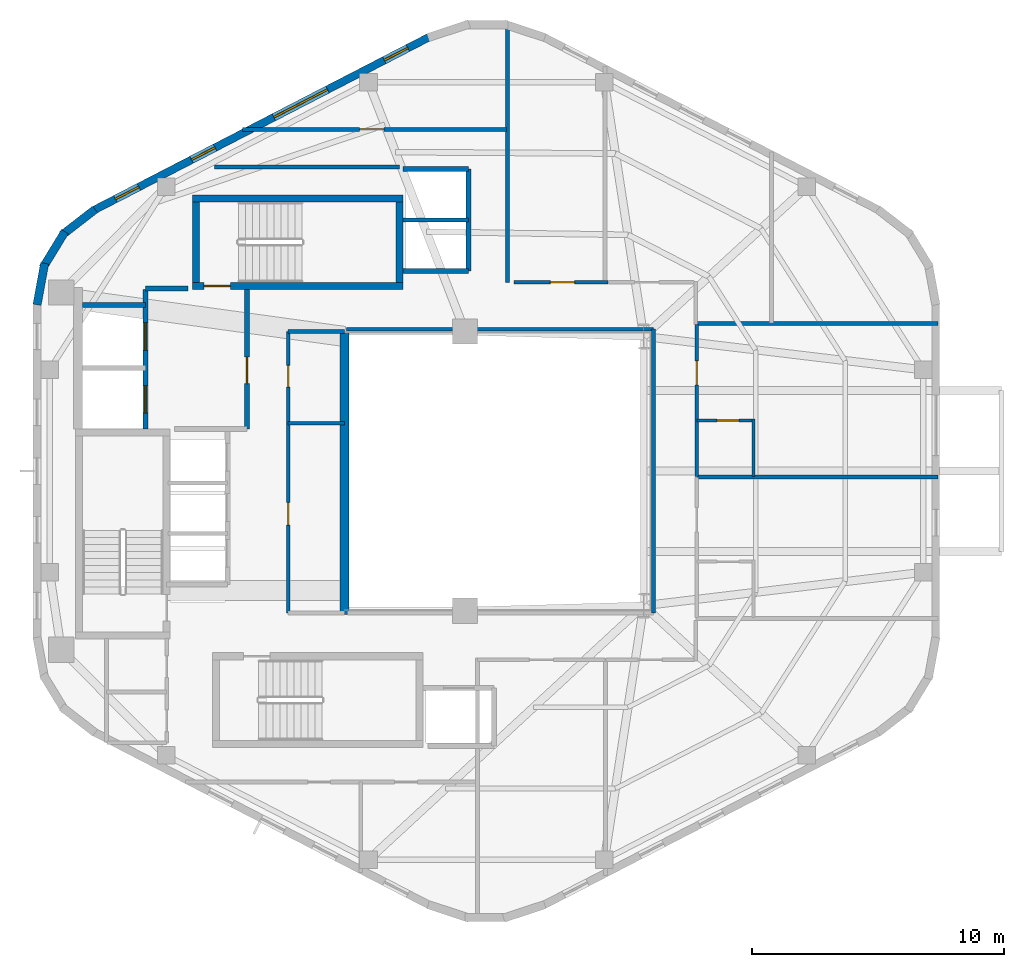
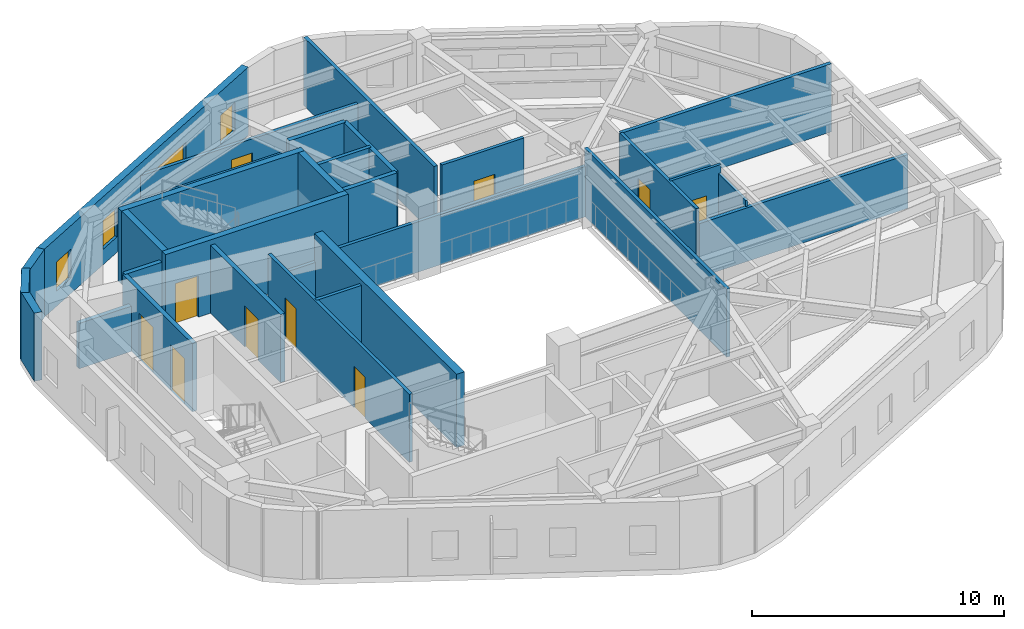
# One storey, part 4 of 6: 31 walls, 10 doors, 4 windows, 14 openings.
"""IFC4 building model written with IfcOpenShell, lengths in metres."""

from ifc_helpers import new_model, si_unit, direction, frame, frame_2d, origin, place, context, subcontext, project, spatial, rectangle, extrude, material, layer, layer_set, type_object, element, fill, save


model = new_model("IFC4")

# Units and contexts
model_context = context("Model", 3, precision=1e-05, world=origin(), true_north=direction((0.0, 1.0)))
body_context = subcontext(model_context, "Body", "Model", "MODEL_VIEW")
ifc_project = project(units=[si_unit("LENGTHUNIT", "METRE"), si_unit("AREAUNIT", "SQUARE_METRE"), si_unit("VOLUMEUNIT", "CUBIC_METRE"), si_unit("PLANEANGLEUNIT", "RADIAN"), si_unit("MASSUNIT", "GRAM", prefix="KILO"), si_unit("THERMODYNAMICTEMPERATUREUNIT", "KELVIN"), si_unit("POWERUNIT", "WATT")], contexts=[model_context])

# Site, building, storey
site_placement = place(None, origin())
site = spatial("IfcSite", under=ifc_project, at=site_placement, CompositionType="ELEMENT")
building_placement = place(site_placement, origin())
building = spatial("IfcBuilding", under=site, at=building_placement, Name="Skarre Station Tower", CompositionType="ELEMENT")
storey_placement = place(building_placement, frame((0.0, 0.0, 252.550048828125)))
storey = spatial("IfcBuildingStorey", under=building, at=storey_placement, Name="L69", CompositionType="ELEMENT", Elevation=252.550048828125)

# Wall
ifc_material_1 = material(Name="Acoustic Steel-Stud Gypsum Partition", Category="steel")
ifc_layer_1 = layer(ifc_material_1, 0.14990234375, Name="Acoustic Steel-Stud Gypsum Partition")
ifc_layer_set_1 = layer_set([ifc_layer_1], Name="Acoustic Steel-Stud Gypsum Partition")
wall_type_1 = type_object("IfcWallType", Name="Fire-Rated Corridor Acoustic Partition 150", PredefinedType="PARTITIONING", material=ifc_layer_set_1)
wall_1_placement = place(storey_placement, frame((25.320068359375, 25.89990234375, 0.0), z_axis=(0.0, 0.0, 1.0), x_axis=(1.0, 0.0, 0.0)))
element("IfcWall", 1, at=wall_1_placement, inside=storey, type_object=wall_type_1, Name="L69 Interior Partition WL-PT-L69-RC2-M", PredefinedType="PARTITIONING", context=body_context, shape_type="SweptSolid", body=[
    extrude(rectangle(XDim=2.22998046875, YDim=0.14990234375, at=frame_2d((1.114990234375, 0.0))), origin(), (0.0, 0.0, 1.0), 3.2900390625),
])

# Wall, openings, doors
wall_2_placement = place(storey_placement, frame((25.320068359375, 29.550048828125, 0.0), z_axis=(0.0, 0.0, 1.0), x_axis=(0.0, -1.0, 0.0)))
wall_2 = element("IfcWall", 2, at=wall_2_placement, inside=storey, type_object=wall_type_1, Name="L69 Interior Partition WL-PT-L69-RC2-W", PredefinedType="PARTITIONING", context=body_context, shape_type="SweptSolid", body=[
    extrude(rectangle(XDim=11.18994140625, YDim=0.14990234375, at=frame_2d((5.594970703125, 0.0))), origin(), (0.0, 0.0, 1.0), 3.2900390625),
])
opening_1_placement = place(wall_2_placement, frame((1.35009765625, 0.0, 0.0)))
opening_1 = element("IfcOpeningElement", 3, at=opening_1_placement, cuts=wall_2, Name="Opening DR-SVC86", PredefinedType="OPENING", context=body_context, shape_type="SweptSolid", body=[
    extrude(rectangle(XDim=0.860107421875, YDim=2.0, at=frame_2d((0.43017578125, 1.0))), frame((0.0, 0.0849609375, 0.0), z_axis=(0.0, -1.0, 0.0), x_axis=(1.0, 0.0, 0.0)), (0.0, 0.0, 1.0), 0.169921875),
])
opening_2_placement = place(wall_2_placement, frame((6.800048828125, 0.0, 0.0)))
opening_2 = element("IfcOpeningElement", 4, at=opening_2_placement, cuts=wall_2, Name="Opening DR-SVC90", PredefinedType="OPENING", context=body_context, shape_type="SweptSolid", body=[
    extrude(rectangle(XDim=0.89990234375, YDim=2.0, at=frame_2d((0.449951171875, 1.0))), frame((0.0, 0.0849609375, 0.0), z_axis=(0.0, -1.0, 0.0), x_axis=(1.0, 0.0, 0.0)), (0.0, 0.0, 1.0), 0.169921875),
])
ifc_material_2 = material(Name="Powder-Coated Hollow-Metal Acoustic Fire Leaf", Category="steel")
door_type_1 = type_object("IfcDoorType", Name="Compact Riser Fire Door FD60 860x2100", OperationType="SINGLE_SWING_LEFT", PredefinedType="DOOR", material=ifc_material_2)
door_1_placement = place(opening_1_placement, origin())
door_1 = element("IfcDoor", 5, at=door_1_placement, inside=storey, type_object=door_type_1, Name="L69 Music Alcove Door", OperationType="SINGLE_SWING_LEFT", OverallHeight=2.0, OverallWidth=0.860107421875, PredefinedType="DOOR", context=body_context, shape_type="SweptSolid", body=[
    extrude(rectangle(XDim=0.860107421875, YDim=2.0, at=frame_2d((0.43017578125, 1.0))), frame((0.0, 0.02490234375, 0.0), z_axis=(0.0, -1.0, 0.0), x_axis=(1.0, 0.0, 0.0)), (0.0, 0.0, 1.0), 0.050048828125),
])
fill(opening_1, door_1)
door_type_2 = type_object("IfcDoorType", Name="Service & Riser Fire Door FD60 900x2100", OperationType="SINGLE_SWING_LEFT", PredefinedType="DOOR", material=ifc_material_2)
door_2_placement = place(opening_2_placement, origin())
door_2 = element("IfcDoor", 6, at=door_2_placement, inside=storey, type_object=door_type_2, Name="L69 Tasting Pantry Door", OperationType="SINGLE_SWING_LEFT", OverallHeight=2.0, OverallWidth=0.89990234375, PredefinedType="DOOR", context=body_context, shape_type="SweptSolid", body=[
    extrude(rectangle(XDim=0.89990234375, YDim=2.0, at=frame_2d((0.449951171875, 1.0))), frame((0.0, 0.02490234375, 0.0), z_axis=(0.0, -1.0, 0.0), x_axis=(1.0, 0.0, 0.0)), (0.0, 0.0, 1.0), 0.050048828125),
])
fill(opening_2, door_2)

# Walls
wall_3_placement = place(storey_placement, frame((27.550048828125, 29.550048828125, 0.0), z_axis=(0.0, 0.0, 1.0), x_axis=(-1.0, 0.0, 0.0)))
element("IfcWall", 7, at=wall_3_placement, inside=storey, type_object=wall_type_1, Name="L69 Interior Partition WL-PT-L69-RC2-N", PredefinedType="PARTITIONING", context=body_context, shape_type="SweptSolid", body=[
    extrude(rectangle(XDim=2.22998046875, YDim=0.14990234375, at=frame_2d((1.114990234375, 0.0))), origin(), (0.0, 0.0, 1.0), 2.18994140625),
])
wall_4_placement = place(storey_placement, frame((39.840087890625, 29.639892578125, 0.0), z_axis=(0.0, 0.0, 1.0), x_axis=(-1.0, 0.0, 0.0)))
element("IfcWall", 8, at=wall_4_placement, inside=storey, type_object=wall_type_1, Name="L69 Interior Partition WL-PT-L69-ATRW-N", PredefinedType="PARTITIONING", context=body_context, shape_type="SweptSolid", body=[
    extrude(rectangle(XDim=12.203125, YDim=0.14990234375, at=frame_2d((6.1015625, 0.0))), origin(), (0.0, 0.0, 1.0), 2.430908203125),
])
wall_5_placement = place(storey_placement, frame((39.840087890625, 18.360107421875, 0.0), z_axis=(0.0, 0.0, 1.0), x_axis=(0.0, 1.0, 0.0)))
element("IfcWall", 9, at=wall_5_placement, inside=storey, type_object=wall_type_1, Name="L69 Interior Partition WL-PT-L69-ATRW-E", PredefinedType="PARTITIONING", context=body_context, shape_type="SweptSolid", body=[
    extrude(rectangle(XDim=11.27978515625, YDim=0.14990234375, at=frame_2d((5.639892578125, 0.0))), origin(), (0.0, 0.0, 1.0), 3.2900390625),
])

# Wall, opening, door
wall_6_placement = place(storey_placement, frame((34.0, 37.580078125, 0.0), z_axis=(0.0, 0.0, 1.0), x_axis=(-1.0, 0.0, 0.0)))
wall_6 = element("IfcWall", 10, at=wall_6_placement, inside=storey, type_object=wall_type_1, Name="L69 Interior Partition WL-PT-L69-NWW1-CW", PredefinedType="PARTITIONING", context=body_context, shape_type="SweptSolid", body=[
    extrude(rectangle(XDim=10.5009765625, YDim=0.14990234375, at=frame_2d((5.25048828125, 0.0))), origin(), (0.0, 0.0, 1.0), 2.681884765625),
])
opening_3_placement = place(wall_6_placement, frame((4.87890625, 0.0, 0.0)))
opening_3 = element("IfcOpeningElement", 11, at=opening_3_placement, cuts=wall_6, Name="Opening DR-FD60", PredefinedType="OPENING", context=body_context, shape_type="SweptSolid", body=[
    extrude(rectangle(XDim=0.9599609375, YDim=2.0, at=frame_2d((0.47998046875, 1.0))), frame((0.0, 0.0849609375, 0.0), z_axis=(0.0, -1.0, 0.0), x_axis=(1.0, 0.0, 0.0)), (0.0, 0.0, 1.0), 0.169921875),
])
ifc_material_3 = material(Name="Nordic White-Oak Veneer Solid-Core Fire Leaf", Category="wood")
door_type_3 = type_object("IfcDoorType", Name="Corridor Suite Entry Fire Door FD60 960x2150", OperationType="SINGLE_SWING_LEFT", PredefinedType="DOOR", material=ifc_material_3)
door_3_placement = place(opening_3_placement, origin())
door_3 = element("IfcDoor", 12, at=door_3_placement, inside=storey, type_object=door_type_3, Name="L69 NWW1 Entry Door", OperationType="SINGLE_SWING_LEFT", OverallHeight=2.0, OverallWidth=0.9599609375, PredefinedType="DOOR", context=body_context, shape_type="SweptSolid", body=[
    extrude(rectangle(XDim=0.9599609375, YDim=2.0, at=frame_2d((0.47998046875, 1.0))), frame((0.0, 0.02490234375, 0.0), z_axis=(0.0, -1.0, 0.0), x_axis=(1.0, 0.0, 0.0)), (0.0, 0.0, 1.0), 0.050048828125),
])
fill(opening_3, door_3)

wall_7_placement = place(storey_placement, frame((38.037109375, 31.5, 0.0), z_axis=(0.0, 0.0, 1.0), x_axis=(-1.0, 0.0, 0.0)))
wall_7 = element("IfcWall", 13, at=wall_7_placement, inside=storey, type_object=wall_type_1, Name="L69 Interior Partition WL-PT-L69-NW1-CW", PredefinedType="PARTITIONING", context=body_context, shape_type="SweptSolid", body=[
    extrude(rectangle(XDim=3.7470703125, YDim=0.14990234375, at=frame_2d((1.87353515625, 0.0))), origin(), (0.0, 0.0, 1.0), 3.2900390625),
])
opening_4_placement = place(wall_7_placement, frame((1.3369140625, 0.0, 0.0)))
opening_4 = element("IfcOpeningElement", 14, at=opening_4_placement, cuts=wall_7, Name="Opening DR-FD60", PredefinedType="OPENING", context=body_context, shape_type="SweptSolid", body=[
    extrude(rectangle(XDim=0.9599609375, YDim=2.0, at=frame_2d((0.47998046875, 1.0))), frame((0.0, 0.0849609375, 0.0), z_axis=(0.0, -1.0, 0.0), x_axis=(1.0, 0.0, 0.0)), (0.0, 0.0, 1.0), 0.169921875),
])
door_4_placement = place(opening_4_placement, origin())
door_4 = element("IfcDoor", 15, at=door_4_placement, inside=storey, type_object=door_type_3, Name="L69 NW1 Entry Door", OperationType="SINGLE_SWING_LEFT", OverallHeight=2.0, OverallWidth=0.9599609375, PredefinedType="DOOR", context=body_context, shape_type="SweptSolid", body=[
    extrude(rectangle(XDim=0.9599609375, YDim=2.0, at=frame_2d((0.47998046875, 1.0))), frame((0.0, 0.02490234375, 0.0), z_axis=(0.0, -1.0, 0.0), x_axis=(1.0, 0.0, 0.0)), (0.0, 0.0, 1.0), 0.050048828125),
])
fill(opening_4, door_4)

wall_8_placement = place(storey_placement, frame((41.56005859375, 23.784912109375, 0.0), z_axis=(0.0, 0.0, 1.0), x_axis=(0.0, 1.0, 0.0)))
wall_8 = element("IfcWall", 16, at=wall_8_placement, inside=storey, type_object=wall_type_1, Name="L69 Interior Partition WL-PT-L69-EW2-CW", PredefinedType="PARTITIONING", context=body_context, shape_type="SweptSolid", body=[
    extrude(rectangle(XDim=6.03515625, YDim=0.14990234375, at=frame_2d((3.017578125, 0.0))), origin(), (0.0, 0.0, 1.0), 3.2900390625),
])
opening_5_placement = place(wall_8_placement, frame((3.637939453125, 0.0, 0.0)))
opening_5 = element("IfcOpeningElement", 17, at=opening_5_placement, cuts=wall_8, Name="Opening DR-FD60", PredefinedType="OPENING", context=body_context, shape_type="SweptSolid", body=[
    extrude(rectangle(XDim=0.9599609375, YDim=2.0, at=frame_2d((0.47998046875, 1.0))), frame((0.0, 0.0849609375, 0.0), z_axis=(0.0, -1.0, 0.0), x_axis=(1.0, 0.0, 0.0)), (0.0, 0.0, 1.0), 0.169921875),
])
door_5_placement = place(opening_5_placement, origin())
door_5 = element("IfcDoor", 18, at=door_5_placement, inside=storey, type_object=door_type_3, Name="L69 EW2 Entry Door", OperationType="SINGLE_SWING_LEFT", OverallHeight=2.0, OverallWidth=0.9599609375, PredefinedType="DOOR", context=body_context, shape_type="SweptSolid", body=[
    extrude(rectangle(XDim=0.9599609375, YDim=2.0, at=frame_2d((0.47998046875, 1.0))), frame((0.0, 0.02490234375, 0.0), z_axis=(0.0, -1.0, 0.0), x_axis=(1.0, 0.0, 0.0)), (0.0, 0.0, 1.0), 0.050048828125),
])
fill(opening_5, door_5)

# Walls
wall_9_placement = place(storey_placement, frame((29.7529296875, 36.080078125, 0.0), z_axis=(0.0, 0.0, 1.0), x_axis=(-1.0, 0.0, 0.0)))
element("IfcWall", 19, at=wall_9_placement, inside=storey, type_object=wall_type_1, Name="L69 Interior Partition WL-PT-L69-CSEAL-1", PredefinedType="PARTITIONING", context=body_context, shape_type="SweptSolid", body=[
    extrude(rectangle(XDim=7.35302734375, YDim=0.14990234375, at=frame_2d((3.676513671875, 0.0))), origin(), (0.0, 0.0, 1.0), 2.681884765625),
])
ifc_material_4 = material(Name="Insulated Timber-Stud Gypsum Partition", Category="wood")
ifc_layer_2 = layer(ifc_material_4, 0.1201171875, Name="Insulated Timber-Stud Gypsum Partition")
ifc_layer_set_2 = layer_set([ifc_layer_2], Name="Insulated Timber-Stud Gypsum Partition")
wall_type_2 = type_object("IfcWallType", Name="Internal Suite Acoustic Partition 120", PredefinedType="PARTITIONING", material=ifc_layer_set_2)
wall_10_placement = place(storey_placement, frame((43.820068359375, 23.784912109375, 0.0), z_axis=(0.0, 0.0, 1.0), x_axis=(0.0, 1.0, 0.0)))
element("IfcWall", 20, at=wall_10_placement, inside=storey, type_object=wall_type_2, Name="L69 Interior Partition WL-PT-L69-EW2-EW2", PredefinedType="PARTITIONING", context=body_context, shape_type="SweptSolid", body=[
    extrude(rectangle(XDim=2.280029296875, YDim=0.1201171875, at=frame_2d((1.14013671875, 0.0))), origin(), (0.0, 0.0, 1.0), 2.886962890625),
])

# Wall, opening, door
wall_11_placement = place(storey_placement, frame((43.8798828125, 26.0048828125, 0.0), z_axis=(0.0, 0.0, 1.0), x_axis=(-1.0, 0.0, 0.0)))
wall_11 = element("IfcWall", 21, at=wall_11_placement, inside=storey, type_object=wall_type_2, Name="L69 Interior Partition WL-PT-L69-EW2-EW3", PredefinedType="PARTITIONING", context=body_context, shape_type="SweptSolid", body=[
    extrude(rectangle(XDim=2.31982421875, YDim=0.1201171875, at=frame_2d((1.159912109375, 0.0))), origin(), (0.0, 0.0, 1.0), 3.2900390625),
])
opening_6_placement = place(wall_11_placement, frame((0.64990234375, 0.0, 0.0)))
opening_6 = element("IfcOpeningElement", 22, at=opening_6_placement, cuts=wall_11, Name="Opening DR-INT86", PredefinedType="OPENING", context=body_context, shape_type="SweptSolid", body=[
    extrude(rectangle(XDim=0.860107421875, YDim=2.0, at=frame_2d((0.43017578125, 1.0))), frame((0.0, 0.070068359375, 0.0), z_axis=(0.0, -1.0, 0.0), x_axis=(1.0, 0.0, 0.0)), (0.0, 0.0, 1.0), 0.14013671875),
])
ifc_material_5 = material(Name="Nordic Birch Acoustic Solid-Core Timber Leaf", Category="wood")
door_type_4 = type_object("IfcDoorType", Name="Internal En-Suite & Bedroom Door 860x2100", OperationType="SINGLE_SWING_LEFT", PredefinedType="DOOR", material=ifc_material_5)
door_6_placement = place(opening_6_placement, origin())
door_6 = element("IfcDoor", 23, at=door_6_placement, inside=storey, type_object=door_type_4, Name="L69 EW2 En-suite Door", OperationType="SINGLE_SWING_RIGHT", OverallHeight=2.0, OverallWidth=0.860107421875, PredefinedType="DOOR", context=body_context, shape_type="SweptSolid", body=[
    extrude(rectangle(XDim=0.860107421875, YDim=2.0, at=frame_2d((0.43017578125, 1.0))), frame((0.0, 0.02490234375, 0.0), z_axis=(0.0, -1.0, 0.0), x_axis=(1.0, 0.0, 0.0)), (0.0, 0.0, 1.0), 0.050048828125),
])
fill(opening_6, door_6)

# Walls
ifc_material_6 = material(Name="Precast concrete C45/55", Category="concrete")
ifc_layer_3 = layer(ifc_material_6, 0.330078125, Name="Precast concrete C45/55")
ifc_layer_set_3 = layer_set([ifc_layer_3], Name="Precast concrete C45/55")
wall_type_3 = type_object("IfcWallType", Name="Nordic Rounded Corner Precast Wall 330", PredefinedType="STANDARD", material=ifc_layer_set_3)
wall_12_placement = place(storey_placement, frame((15.337890625, 30.60791015625, 0.0), z_axis=(0.0, 0.0, 1.0), x_axis=(0.180832605401, 0.983513888475, 0.0)))
element("IfcWall", 24, at=wall_12_placement, inside=storey, type_object=wall_type_3, Name="L69 Rounded Corner Precast Wall F2-1", PredefinedType="STANDARD", context=body_context, shape_type="SweptSolid", body=[
    extrude(rectangle(XDim=1.6767578125, YDim=0.330078125, at=frame_2d((0.83837890625, 0.0))), origin(), (0.0, 0.0, 1.0), 3.2900390625),
])
wall_13_placement = place(storey_placement, frame((15.573974609375, 32.08203125, 0.0), z_axis=(0.0, 0.0, 1.0), x_axis=(0.520325409202, 0.853968072318, 0.0)))
element("IfcWall", 25, at=wall_13_placement, inside=storey, type_object=wall_type_3, Name="L69 Rounded Corner Precast Wall F2-2", PredefinedType="STANDARD", context=body_context, shape_type="SweptSolid", body=[
    extrude(rectangle(XDim=1.677978515625, YDim=0.330078125, at=frame_2d((0.8388671875, 0.0))), origin(), (0.0, 0.0, 1.0), 3.2900390625),
])
wall_14_placement = place(storey_placement, frame((16.322021484375, 33.375, 0.0), z_axis=(0.0, 0.0, 1.0), x_axis=(0.790691856293, 0.61221433207, 0.0)))
element("IfcWall", 26, at=wall_14_placement, inside=storey, type_object=wall_type_3, Name="L69 Rounded Corner Precast Wall F2-3", PredefinedType="STANDARD", context=body_context, shape_type="SweptSolid", body=[
    extrude(rectangle(XDim=1.67578125, YDim=0.330078125, at=frame_2d((0.837890625, 0.0))), origin(), (0.0, 0.0, 1.0), 3.2900390625),
])

# Wall, openings, windows
ifc_layer_4 = layer(ifc_material_6, 0.31005859375, Name="Precast concrete C45/55")
ifc_layer_set_4 = layer_set([ifc_layer_4], Name="Precast concrete C45/55")
wall_type_4 = type_object("IfcWallType", Name="Nordic Upper-Zone Precast Facet Wall 310", PredefinedType="STANDARD", material=ifc_layer_set_4)
wall_15_placement = place(storey_placement, frame((17.56591796875, 34.35400390625, 0.0), z_axis=(0.0, 0.0, 1.0), x_axis=(0.888581481622, 0.458718814218, 0.0)))
wall_15 = element("IfcWall", 27, at=wall_15_placement, inside=storey, type_object=wall_type_4, Name="L69 Facet 1 Nordic Precast Masonry Wall", PredefinedType="STANDARD", context=body_context, shape_type="SweptSolid", body=[
    extrude(rectangle(XDim=15.076904296875, YDim=0.31005859375, at=frame_2d((7.53857421875, 0.0))), origin(), (0.0, 0.0, 1.0), 3.2900390625),
])
opening_7_placement = place(wall_15_placement, frame((0.998046875, 0.0, 0.75)))
opening_7 = element("IfcOpeningElement", 28, at=opening_7_placement, cuts=wall_15, Name="Opening WN-SLT", PredefinedType="OPENING", context=body_context, shape_type="SweptSolid", body=[
    extrude(rectangle(XDim=1.050048828125, YDim=1.39990234375, at=frame_2d((0.52490234375, 0.699951171875))), frame((0.0, 0.1650390625, 0.0), z_axis=(0.0, -1.0, 0.0), x_axis=(1.0, 0.0, 0.0)), (0.0, 0.0, 1.0), 0.330078125),
])
opening_8_placement = place(wall_15_placement, frame((4.403076171875, 0.0, 0.75)))
opening_8 = element("IfcOpeningElement", 29, at=opening_8_placement, cuts=wall_15, Name="Opening WN-SLT", PredefinedType="OPENING", context=body_context, shape_type="SweptSolid", body=[
    extrude(rectangle(XDim=1.050048828125, YDim=1.39990234375, at=frame_2d((0.52490234375, 0.699951171875))), frame((0.0, 0.1650390625, 0.0), z_axis=(0.0, -1.0, 0.0), x_axis=(1.0, 0.0, 0.0)), (0.0, 0.0, 1.0), 0.330078125),
])
opening_9_placement = place(wall_15_placement, frame((8.0859375, 0.0, 0.75)))
opening_9 = element("IfcOpeningElement", 30, at=opening_9_placement, cuts=wall_15, Name="Opening WN-Z4A", PredefinedType="OPENING", context=body_context, shape_type="SweptSolid", body=[
    extrude(rectangle(XDim=2.39990234375, YDim=1.60009765625, at=frame_2d((1.199951171875, 0.800048828125))), frame((0.0, 0.1650390625, 0.0), z_axis=(0.0, -1.0, 0.0), x_axis=(1.0, 0.0, 0.0)), (0.0, 0.0, 1.0), 0.330078125),
])
opening_10_placement = place(wall_15_placement, frame((13.029052734375, 0.0, 0.75)))
opening_10 = element("IfcOpeningElement", 31, at=opening_10_placement, cuts=wall_15, Name="Opening WN-SLT", PredefinedType="OPENING", context=body_context, shape_type="SweptSolid", body=[
    extrude(rectangle(XDim=1.050048828125, YDim=1.39990234375, at=frame_2d((0.52490234375, 0.699951171875))), frame((0.0, 0.1650390625, 0.0), z_axis=(0.0, -1.0, 0.0), x_axis=(1.0, 0.0, 0.0)), (0.0, 0.0, 1.0), 0.330078125),
])
ifc_material_7 = material(Name="Low-Iron Triple Glazing with Bronze Anodized Frame", Category="glass")
window_type_1 = type_object("IfcWindowType", Name="Nordic Corner Slot Window 1050x1400", PartitioningType="SINGLE_PANEL", PredefinedType="WINDOW", material=ifc_material_7)
window_1_placement = place(opening_7_placement, origin())
window_1 = element("IfcWindow", 32, at=window_1_placement, inside=storey, type_object=window_type_1, Name="L69 Facade Window WL-FAC-L69-F1-1", OverallHeight=1.39990234375, OverallWidth=1.050048828125, PartitioningType="SINGLE_PANEL", PredefinedType="WINDOW", context=body_context, shape_type="SweptSolid", body=[
    extrude(rectangle(XDim=1.050048828125, YDim=1.39990234375, at=frame_2d((0.52490234375, 0.699951171875))), frame((0.0, 0.030029296875, 0.0), z_axis=(0.0, -1.0, 0.0), x_axis=(1.0, 0.0, 0.0)), (0.0, 0.0, 1.0), 0.06005859375),
])
fill(opening_7, window_1)
window_2_placement = place(opening_8_placement, origin())
window_2 = element("IfcWindow", 33, at=window_2_placement, inside=storey, type_object=window_type_1, Name="L69 Facade Window WL-FAC-L69-F1-2", OverallHeight=1.39990234375, OverallWidth=1.050048828125, PartitioningType="SINGLE_PANEL", PredefinedType="WINDOW", context=body_context, shape_type="SweptSolid", body=[
    extrude(rectangle(XDim=1.050048828125, YDim=1.39990234375, at=frame_2d((0.52490234375, 0.699951171875))), frame((0.0, 0.030029296875, 0.0), z_axis=(0.0, -1.0, 0.0), x_axis=(1.0, 0.0, 0.0)), (0.0, 0.0, 1.0), 0.06005859375),
])
fill(opening_8, window_2)
window_3_placement = place(opening_10_placement, origin())
window_3 = element("IfcWindow", 34, at=window_3_placement, inside=storey, type_object=window_type_1, Name="L69 Facade Window WL-FAC-L69-F1-4", OverallHeight=1.39990234375, OverallWidth=1.050048828125, PartitioningType="SINGLE_PANEL", PredefinedType="WINDOW", context=body_context, shape_type="SweptSolid", body=[
    extrude(rectangle(XDim=1.050048828125, YDim=1.39990234375, at=frame_2d((0.52490234375, 0.699951171875))), frame((0.0, 0.030029296875, 0.0), z_axis=(0.0, -1.0, 0.0), x_axis=(1.0, 0.0, 0.0)), (0.0, 0.0, 1.0), 0.06005859375),
])
fill(opening_10, window_3)
window_type_2 = type_object("IfcWindowType", Name="Nordic Crown Panorama Window 2400x1600", PartitioningType="SINGLE_PANEL", PredefinedType="WINDOW", material=ifc_material_7)
window_4_placement = place(opening_9_placement, origin())
window_4 = element("IfcWindow", 35, at=window_4_placement, inside=storey, type_object=window_type_2, Name="L69 Facade Window WL-FAC-L69-F1-3", OverallHeight=1.60009765625, OverallWidth=2.39990234375, PartitioningType="SINGLE_PANEL", PredefinedType="WINDOW", context=body_context, shape_type="SweptSolid", body=[
    extrude(rectangle(XDim=2.39990234375, YDim=1.60009765625, at=frame_2d((1.199951171875, 0.800048828125))), frame((0.0, 0.030029296875, 0.0), z_axis=(0.0, -1.0, 0.0), x_axis=(1.0, 0.0, 0.0)), (0.0, 0.0, 1.0), 0.06005859375),
])
fill(opening_9, window_4)

# Wall, opening, door
ifc_material_8 = material(Name="Concrete C50/60", Category="concrete")
ifc_layer_5 = layer(ifc_material_8, 0.280029296875, Name="Concrete C50/60")
ifc_layer_set_5 = layer_set([ifc_layer_5], Name="Concrete C50/60")
wall_type_5 = type_object("IfcWallType", Name="RC Core Shear Wall 280", PredefinedType="SHEAR", material=ifc_layer_set_5)
wall_16_placement = place(storey_placement, frame((21.52001953125, 31.360107421875, 0.0), z_axis=(0.0, 0.0, 1.0), x_axis=(1.0, 0.0, 0.0)))
wall_16 = element("IfcWall", 36, at=wall_16_placement, inside=storey, type_object=wall_type_5, Name="L69 Stair ST-3 South Shear Wall", PredefinedType="SHEAR", context=body_context, shape_type="SweptSolid", body=[
    extrude(rectangle(XDim=8.35986328125, YDim=0.280029296875, at=frame_2d((4.179931640625, 0.0))), origin(), (0.0, 0.0, 1.0), 3.550048828125),
])
opening_11_placement = place(wall_16_placement, frame((0.449951171875, 0.0, 0.0)))
opening_11 = element("IfcOpeningElement", 37, at=opening_11_placement, cuts=wall_16, Name="Opening DR-FD90", PredefinedType="OPENING", context=body_context, shape_type="SweptSolid", body=[
    extrude(rectangle(XDim=1.050048828125, YDim=2.0, at=frame_2d((0.52490234375, 1.0))), frame((0.0, 0.14990234375, 0.0), z_axis=(0.0, -1.0, 0.0), x_axis=(1.0, 0.0, 0.0)), (0.0, 0.0, 1.0), 0.300048828125),
])
ifc_material_9 = material(Name="Fire-Rated Insulated Steel Frame & Timber Core Leaf", Category="steel")
door_type_5 = type_object("IfcDoorType", Name="Stair & FSAE Lobby Fire Door FD90 1050x2150", OperationType="SINGLE_SWING_RIGHT", PredefinedType="DOOR", material=ifc_material_9)
door_7_placement = place(opening_11_placement, origin())
door_7 = element("IfcDoor", 38, at=door_7_placement, inside=storey, type_object=door_type_5, Name="L69 Stair ST-3 & FSAE Lobby Direct Exit Door", OperationType="SINGLE_SWING_LEFT", OverallHeight=2.0, OverallWidth=1.050048828125, PredefinedType="DOOR", context=body_context, shape_type="SweptSolid", body=[
    extrude(rectangle(XDim=1.050048828125, YDim=2.0, at=frame_2d((0.52490234375, 1.0))), frame((0.0, 0.02490234375, 0.0), z_axis=(0.0, -1.0, 0.0), x_axis=(1.0, 0.0, 0.0)), (0.0, 0.0, 1.0), 0.050048828125),
])
fill(opening_11, door_7)

# Walls
wall_17_placement = place(storey_placement, frame((29.8798828125, 34.840087890625, 0.0), z_axis=(0.0, 0.0, 1.0), x_axis=(-1.0, 0.0, 0.0)))
element("IfcWall", 39, at=wall_17_placement, inside=storey, type_object=wall_type_5, Name="L69 Stair ST-3 North Shear Wall", PredefinedType="SHEAR", context=body_context, shape_type="SweptSolid", body=[
    extrude(rectangle(XDim=8.35986328125, YDim=0.280029296875, at=frame_2d((4.179931640625, 0.0))), origin(), (0.0, 0.0, 1.0), 3.550048828125),
])
for number, where, z_axis, x_axis, name in (
    (40, (21.659912109375, 34.699951171875, 0.0), (0.0, 0.0, 1.0), (0.0, -1.0, 0.0), "L69 Stair ST-3 West Shear Wall"),
    (41, (29.739990234375, 31.5, 0.0), (0.0, 0.0, 1.0), (0.0, 1.0, 0.0), "L69 Stair ST-3 East Shear Wall"),
):
    element("IfcWall", number, at=place(storey_placement, frame(where, z_axis=z_axis, x_axis=x_axis)), inside=storey, type_object=wall_type_5, Name=name, PredefinedType="SHEAR", context=body_context, shape_type="SweptSolid", body=[
        extrude(rectangle(XDim=3.199951171875, YDim=0.280029296875, at=frame_2d((1.60009765625, 0.0))), origin(), (0.0, 0.0, 1.0), 3.550048828125),
    ])
ifc_layer_6 = layer(ifc_material_8, 0.360107421875, Name="Concrete C50/60")
ifc_layer_set_6 = layer_set([ifc_layer_6], Name="Concrete C50/60")
wall_type_6 = type_object("IfcWallType", Name="RC Core Shear Wall 360", PredefinedType="SHEAR", material=ifc_layer_set_6)
wall_18_placement = place(storey_placement, frame((27.550048828125, 29.550048828125, 0.0), z_axis=(0.0, 0.0, 1.0), x_axis=(0.0, -1.0, 0.0)))
element("IfcWall", 42, at=wall_18_placement, inside=storey, type_object=wall_type_6, Name="L69 Core East Atrium Shear Wall", PredefinedType="SHEAR", context=body_context, shape_type="SweptSolid", body=[
    extrude(rectangle(XDim=11.25, YDim=0.360107421875, at=frame_2d((5.625, 0.0))), origin(), (0.0, 0.0, 1.0), 3.550048828125),
])

# Wall, openings, doors
ifc_material_10 = material(Name="Gypsum Concrete Shaft Assembly C30/37", Category="concrete")
ifc_layer_7 = layer(ifc_material_10, 0.199951171875, Name="Gypsum Concrete Shaft Assembly C30/37")
ifc_layer_set_7 = layer_set([ifc_layer_7], Name="Gypsum Concrete Shaft Assembly C30/37")
wall_type_7 = type_object("IfcWallType", Name="Shaft & Core Fire Partition 200", PredefinedType="PARTITIONING", material=ifc_layer_set_7)
wall_19_placement = place(storey_placement, frame((19.64990234375, 25.679931640625, 0.0), z_axis=(0.0, 0.0, 1.0), x_axis=(0.0, 1.0, 0.0)))
wall_19 = element("IfcWall", 43, at=wall_19_placement, inside=storey, type_object=wall_type_7, Name="L69 Interior Partition WL-PT-L69-FSAE-W", PredefinedType="PARTITIONING", context=body_context, shape_type="SweptSolid", body=[
    extrude(rectangle(XDim=5.5400390625, YDim=0.199951171875, at=frame_2d((2.77001953125, 0.0))), origin(), (0.0, 0.0, 1.0), 3.2900390625),
])
opening_12_placement = place(wall_19_placement, frame((0.6201171875, 0.0, 0.0)))
opening_12 = element("IfcOpeningElement", 44, at=opening_12_placement, cuts=wall_19, Name="Opening LD-FF1", PredefinedType="OPENING", context=body_context, shape_type="SweptSolid", body=[
    extrude(rectangle(XDim=1.10009765625, YDim=2.199951171875, at=frame_2d((0.550048828125, 1.10009765625))), frame((0.0, 0.10986328125, 0.0), z_axis=(0.0, -1.0, 0.0), x_axis=(1.0, 0.0, 0.0)), (0.0, 0.0, 1.0), 0.219970703125),
])
opening_13_placement = place(wall_19_placement, frame((3.1201171875, 0.0, 0.0)))
opening_13 = element("IfcOpeningElement", 45, at=opening_13_placement, cuts=wall_19, Name="Opening LD-FF2", PredefinedType="OPENING", context=body_context, shape_type="SweptSolid", body=[
    extrude(rectangle(XDim=1.10009765625, YDim=2.199951171875, at=frame_2d((0.550048828125, 1.10009765625))), frame((0.0, 0.10986328125, 0.0), z_axis=(0.0, -1.0, 0.0), x_axis=(1.0, 0.0, 0.0)), (0.0, 0.0, 1.0), 0.219970703125),
])
ifc_material_11 = material(Name="Fire-Rated Stainless Steel Grade 316L Sliding Leaves", Category="steel")
door_type_6 = type_object("IfcDoorType", Name="Fire Service Access Elevator Sliding Landing Door 1100x2200", OperationType="SLIDING_TO_LEFT", PredefinedType="DOOR", material=ifc_material_11)
door_8_placement = place(opening_12_placement, origin())
door_8 = element("IfcDoor", 46, at=door_8_placement, inside=storey, type_object=door_type_6, Name="L69 Firefighting Lift LF-FF1 Landing Door", OperationType="SLIDING_TO_LEFT", OverallHeight=2.199951171875, OverallWidth=1.10009765625, PredefinedType="DOOR", context=body_context, shape_type="SweptSolid", body=[
    extrude(rectangle(XDim=1.10009765625, YDim=2.199951171875, at=frame_2d((0.550048828125, 1.10009765625))), frame((0.0, 0.02490234375, 0.0), z_axis=(0.0, -1.0, 0.0), x_axis=(1.0, 0.0, 0.0)), (0.0, 0.0, 1.0), 0.050048828125),
])
fill(opening_12, door_8)
door_9_placement = place(opening_13_placement, origin())
door_9 = element("IfcDoor", 47, at=door_9_placement, inside=storey, type_object=door_type_6, Name="L69 Firefighting Lift LF-FF2 Landing Door", OperationType="SLIDING_TO_LEFT", OverallHeight=2.199951171875, OverallWidth=1.10009765625, PredefinedType="DOOR", context=body_context, shape_type="SweptSolid", body=[
    extrude(rectangle(XDim=1.10009765625, YDim=2.199951171875, at=frame_2d((0.550048828125, 1.10009765625))), frame((0.0, 0.02490234375, 0.0), z_axis=(0.0, -1.0, 0.0), x_axis=(1.0, 0.0, 0.0)), (0.0, 0.0, 1.0), 0.050048828125),
])
fill(opening_13, door_9)

# Wall, opening, door
wall_20_placement = place(storey_placement, frame((23.679931640625, 25.679931640625, 0.0), z_axis=(0.0, 0.0, 1.0), x_axis=(0.0, 1.0, 0.0)))
wall_20 = element("IfcWall", 48, at=wall_20_placement, inside=storey, type_object=wall_type_7, Name="L69 Interior Partition WL-PT-L69-FSAE-E", PredefinedType="PARTITIONING", context=body_context, shape_type="SweptSolid", body=[
    extrude(rectangle(XDim=5.5400390625, YDim=0.199951171875, at=frame_2d((2.77001953125, 0.0))), origin(), (0.0, 0.0, 1.0), 3.2900390625),
])
opening_14_placement = place(wall_20_placement, frame((1.800048828125, 0.0, 0.0)))
opening_14 = element("IfcOpeningElement", 49, at=opening_14_placement, cuts=wall_20, Name="Opening DR-FD90", PredefinedType="OPENING", context=body_context, shape_type="SweptSolid", body=[
    extrude(rectangle(XDim=1.050048828125, YDim=2.0, at=frame_2d((0.52490234375, 1.0))), frame((0.0, 0.10986328125, 0.0), z_axis=(0.0, -1.0, 0.0), x_axis=(1.0, 0.0, 0.0)), (0.0, 0.0, 1.0), 0.219970703125),
])
door_10_placement = place(opening_14_placement, origin())
door_10 = element("IfcDoor", 50, at=door_10_placement, inside=storey, type_object=door_type_5, Name="L69 FSAE Lobby Fire Door", OperationType="SINGLE_SWING_RIGHT", OverallHeight=2.0, OverallWidth=1.050048828125, PredefinedType="DOOR", context=body_context, shape_type="SweptSolid", body=[
    extrude(rectangle(XDim=1.050048828125, YDim=2.0, at=frame_2d((0.52490234375, 1.0))), frame((0.0, 0.02490234375, 0.0), z_axis=(0.0, -1.0, 0.0), x_axis=(1.0, 0.0, 0.0)), (0.0, 0.0, 1.0), 0.050048828125),
])
fill(opening_14, door_10)

# Walls
wall_21_placement = place(storey_placement, frame((21.330078125, 31.260009765625, 0.0), z_axis=(0.0, 0.0, 1.0), x_axis=(-1.0, 0.0, 0.0)))
element("IfcWall", 51, at=wall_21_placement, inside=storey, type_object=wall_type_7, Name="L69 Interior Partition WL-PT-L69-FSAE-N", PredefinedType="PARTITIONING", context=body_context, shape_type="SweptSolid", body=[
    extrude(rectangle(XDim=1.68017578125, YDim=0.199951171875, at=frame_2d((0.840087890625, 0.0))), origin(), (0.0, 0.0, 1.0), 3.2900390625),
])
wall_22_placement = place(storey_placement, frame((19.64990234375, 30.60009765625, 0.0), z_axis=(0.0, 0.0, 1.0), x_axis=(-1.0, 0.0, 0.0)))
element("IfcWall", 52, at=wall_22_placement, inside=storey, type_object=wall_type_7, Name="L69 Interior Partition WL-PT-L69-FF-N", PredefinedType="PARTITIONING", context=body_context, shape_type="SweptSolid", body=[
    extrude(rectangle(XDim=2.5, YDim=0.199951171875, at=frame_2d((1.25, 0.0))), origin(), (0.0, 0.0, 1.0), 2.18994140625),
])
wall_23_placement = place(storey_placement, frame((32.47998046875, 31.949951171875, 0.0), z_axis=(0.0, 0.0, 1.0), x_axis=(0.0, 1.0, 0.0)))
element("IfcWall", 53, at=wall_23_placement, inside=storey, type_object=wall_type_7, Name="L69 Interior Partition WL-PT-L69-EX-E", PredefinedType="PARTITIONING", context=body_context, shape_type="SweptSolid", body=[
    extrude(rectangle(XDim=4.050048828125, YDim=0.199951171875, at=frame_2d((2.02490234375, 0.0))), origin(), (0.0, 0.0, 1.0), 3.2900390625),
])
for number, where, z_axis, x_axis, name in (
    (54, (29.8798828125, 36.0, 0.0), (0.0, 0.0, 1.0), (1.0, 0.0, 0.0), "L69 Interior Partition WL-PT-L69-EX-N"),
    (55, (32.47998046875, 31.949951171875, 0.0), (0.0, 0.0, 1.0), (-1.0, 0.0, 0.0), "L69 Interior Partition WL-PT-L69-EX-S"),
):
    element("IfcWall", number, at=place(storey_placement, frame(where, z_axis=z_axis, x_axis=x_axis)), inside=storey, type_object=wall_type_7, Name=name, PredefinedType="PARTITIONING", context=body_context, shape_type="SweptSolid", body=[
        extrude(rectangle(XDim=2.60009765625, YDim=0.199951171875, at=frame_2d((1.300048828125, 0.0))), origin(), (0.0, 0.0, 1.0), 3.2900390625),
    ])
wall_24_placement = place(storey_placement, frame((29.875, 33.97998046875, 0.0), z_axis=(0.0, 0.0, 1.0), x_axis=(1.0, 0.0, 0.0)))
element("IfcWall", 56, at=wall_24_placement, inside=storey, type_object=wall_type_7, Name="L69 Interior Partition WL-PT-L69-EX-DIV", PredefinedType="PARTITIONING", context=body_context, shape_type="SweptSolid", body=[
    extrude(rectangle(XDim=2.60498046875, YDim=0.159912109375, at=frame_2d((1.302490234375, 0.0))), origin(), (0.0, 0.0, 1.0), 3.2900390625),
])
ifc_layer_8 = layer(ifc_material_1, 0.1650390625, Name="Acoustic Steel-Stud Gypsum Partition")
ifc_layer_set_8 = layer_set([ifc_layer_8], Name="Acoustic Steel-Stud Gypsum Partition")
wall_type_8 = type_object("IfcWallType", Name="Suite Demising Acoustic Partition 165", PredefinedType="PARTITIONING", material=ifc_layer_set_8)
wall_25_placement = place(storey_placement, frame((34.0400390625, 31.5, 0.0), z_axis=(0.0, 0.0, 1.0), x_axis=(0.0, 1.0, 0.0)))
element("IfcWall", 57, at=wall_25_placement, inside=storey, type_object=wall_type_8, Name="L69 Interior Partition WL-PT-L69-NW-WBND", PredefinedType="PARTITIONING", context=body_context, shape_type="SweptSolid", body=[
    extrude(rectangle(XDim=10.318115234375, YDim=0.1650390625, at=frame_2d((5.1591796875, 0.0))), origin(), (0.0, 0.0, 1.0), 3.2900390625),
])
wall_26_placement = place(storey_placement, frame((41.52001953125, 29.860107421875, 0.0), z_axis=(0.0, 0.0, 1.0), x_axis=(1.0, 0.0, 0.0)))
element("IfcWall", 58, at=wall_26_placement, inside=storey, type_object=wall_type_8, Name="L69 Interior Partition WL-PT-L69-EWB-N", PredefinedType="PARTITIONING", context=body_context, shape_type="SweptSolid", body=[
    extrude(rectangle(XDim=9.623046875, YDim=0.1650390625, at=frame_2d((4.8115234375, 0.0))), origin(), (0.0, 0.0, 1.0), 3.2900390625),
])
wall_27_placement = place(storey_placement, frame((41.590087890625, 23.76708984375, 0.0), z_axis=(0.0, 0.0, 1.0), x_axis=(1.0, 0.0, 0.0)))
element("IfcWall", 59, at=wall_27_placement, inside=storey, type_object=wall_type_8, Name="L69 Interior Partition WL-PT-L69-EW-P1", PredefinedType="PARTITIONING", context=body_context, shape_type="SweptSolid", body=[
    extrude(rectangle(XDim=9.552978515625, YDim=0.1650390625, at=frame_2d((4.7763671875, 0.0))), origin(), (0.0, 0.0, 1.0), 2.593994140625),
])

save(model, "model.ifc")
